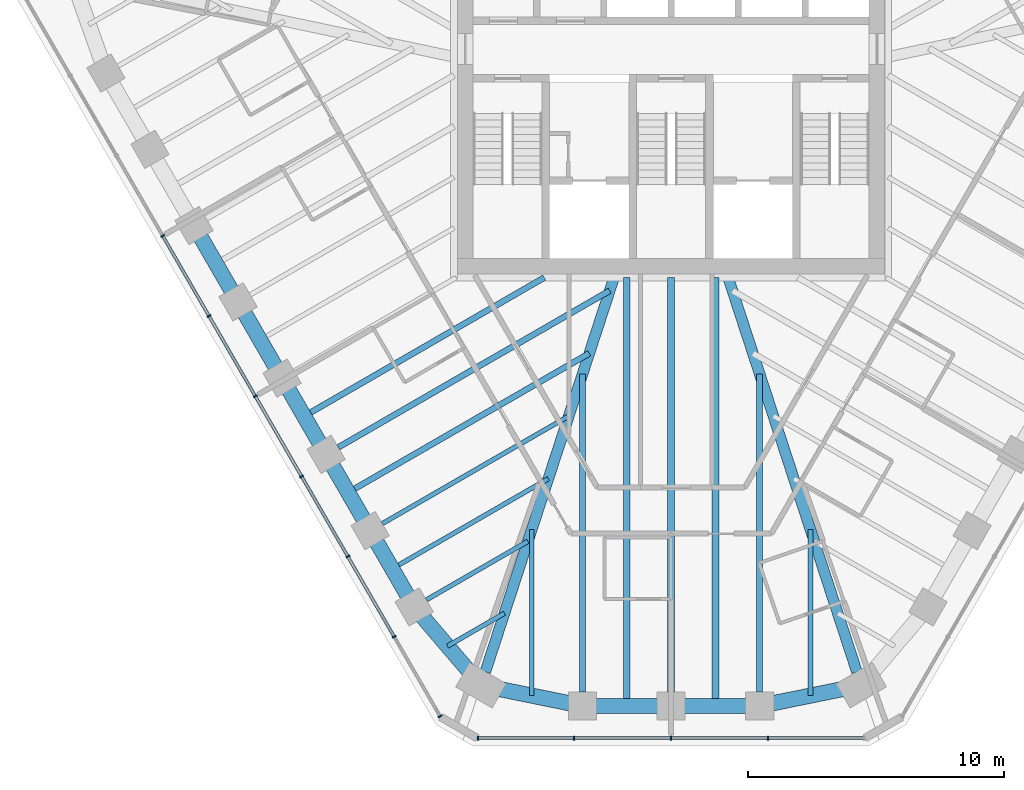
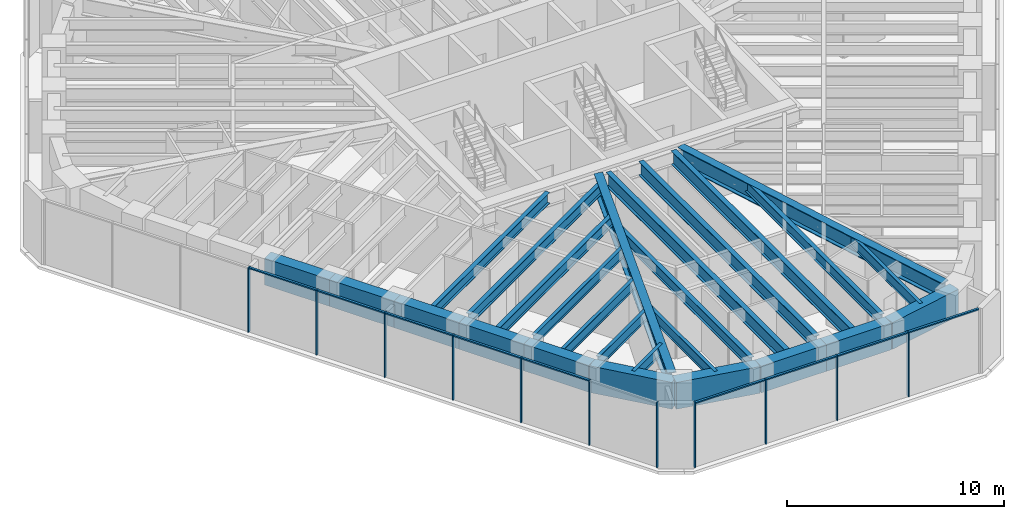
# One storey, part 2 of 14: 26 beams, 20 members, 2 elements without a shape of their own.
"""IFC4 building model written with IfcOpenShell, lengths in metres."""

from ifc_helpers import new_model, si_unit, direction, frame, origin, origin_2d, place, context, subcontext, project, spatial, rectangle, i_section, extrude, material, material_profile, profile_set, type_object, element, aggregate, save


model = new_model("IFC4")

# Units and contexts
model_context = context("Model", 3, precision=1e-05, world=origin(), true_north=direction((0.0, 1.0)))
body_context = subcontext(model_context, "Body", "Model", "MODEL_VIEW")
ifc_project = project(units=[si_unit("LENGTHUNIT", "METRE"), si_unit("AREAUNIT", "SQUARE_METRE"), si_unit("VOLUMEUNIT", "CUBIC_METRE"), si_unit("PLANEANGLEUNIT", "RADIAN"), si_unit("MASSUNIT", "GRAM", prefix="KILO")], contexts=[model_context])

# Site, building, storey
site_placement = place(None, origin())
site = spatial("IfcSite", under=ifc_project, at=site_placement, CompositionType="ELEMENT")
building_placement = place(site_placement, origin())
building = spatial("IfcBuilding", under=site, at=building_placement, Name="Sandreach Pilgrim Tower", CompositionType="ELEMENT")
storey_placement = place(building_placement, frame((0.0, 0.0, 279.800048828125)))
storey = spatial("IfcBuildingStorey", under=building, at=storey_placement, Name="L70", CompositionType="ELEMENT", Elevation=279.800048828125)

# Curtain wall, members
ifc_material_1 = material(Name="Aluminium framed curtain wall", Category="aluminium")
curtain_wall_type = type_object("IfcCurtainWallType", Name="Suite tower curtain wall", PredefinedType="NOTDEFINED", material=ifc_material_1)
curtain_wall_1_placement = place(storey_placement, origin())
curtain_wall_1 = element("IfcCurtainWall", 1, at=curtain_wall_1_placement, inside=storey, type_object=curtain_wall_type, Name="CW-4 L70 S", PredefinedType="NOTDEFINED")
ifc_material_2 = material(Name="Aluminium extrusion", Category="aluminium")
ifc_material_profile_1 = material_profile(ifc_material_2, rectangle(XDim=0.06005859375, YDim=0.159912109375, at=origin_2d()), Name="CW-4M 60X160")
ifc_profile_set_1 = profile_set([ifc_material_profile_1], Name="Aluminium extrusion")
member_type_1 = type_object("IfcMemberType", Name="CW-4 mullion", PredefinedType="MULLION", material=ifc_profile_set_1)
member_1_placement = place(storey_placement, frame((3.791748046875, -24.858154296875, 0.0), z_axis=(0.0, 0.0, 1.0), x_axis=(-1.0, 0.0, 0.0)))
member_1 = element("IfcMember", 2, at=member_1_placement, type_object=member_type_1, Name="CW-4 mullion 2", PredefinedType="MULLION", context=body_context, shape_type="SweptSolid", body=[
    extrude(rectangle(XDim=0.06005859375, YDim=0.159912109375, at=origin_2d()), origin(), (0.0, 0.0, 1.0), 3.639892578125),
])
member_2_placement = place(storey_placement, frame((0.0, -24.858154296875, 0.0), z_axis=(0.0, 0.0, 1.0), x_axis=(-1.0, 0.0, 0.0)))
member_2 = element("IfcMember", 3, at=member_2_placement, type_object=member_type_1, Name="CW-4 mullion 3", PredefinedType="MULLION", context=body_context, shape_type="SweptSolid", body=[
    extrude(rectangle(XDim=0.06005859375, YDim=0.159912109375, at=origin_2d()), origin(), (0.0, 0.0, 1.0), 3.639892578125),
])
member_3_placement = place(storey_placement, frame((-3.791748046875, -24.858154296875, 0.0), z_axis=(0.0, 0.0, 1.0), x_axis=(-1.0, 0.0, 0.0)))
member_3 = element("IfcMember", 4, at=member_3_placement, type_object=member_type_1, Name="CW-4 mullion 4", PredefinedType="MULLION", context=body_context, shape_type="SweptSolid", body=[
    extrude(rectangle(XDim=0.06005859375, YDim=0.159912109375, at=origin_2d()), origin(), (0.0, 0.0, 1.0), 3.639892578125),
])
member_4_placement = place(storey_placement, frame((-7.553466796875, -24.858154296875, 0.0), z_axis=(0.0, 0.0, 1.0), x_axis=(-1.0, 0.0, 0.0)))
member_4 = element("IfcMember", 5, at=member_4_placement, type_object=member_type_1, Name="CW-4 mullion 5", PredefinedType="MULLION", context=body_context, shape_type="SweptSolid", body=[
    extrude(rectangle(XDim=0.06005859375, YDim=0.159912109375, at=origin_2d()), origin(), (0.0, 0.0, 1.0), 3.639892578125),
])

curtain_wall_2_placement = place(storey_placement, origin())
curtain_wall_2 = element("IfcCurtainWall", 6, at=curtain_wall_2_placement, inside=storey, type_object=curtain_wall_type, Name="CW-4 L70 SW", PredefinedType="NOTDEFINED")
member_5_placement = place(storey_placement, frame((-9.035888671875, -24.001953125, 0.0), z_axis=(0.0, 0.0, 1.0), x_axis=(-0.5, 0.866025403784, 0.0)))
member_5 = element("IfcMember", 7, at=member_5_placement, type_object=member_type_1, Name="CW-4 mullion 1", PredefinedType="MULLION", context=body_context, shape_type="SweptSolid", body=[
    extrude(rectangle(XDim=0.06005859375, YDim=0.159912109375, at=origin_2d()), origin(), (0.0, 0.0, 1.0), 3.639892578125),
])
member_6_placement = place(storey_placement, frame((-10.83203125, -20.891357421875, 0.0), z_axis=(0.0, 0.0, 1.0), x_axis=(-0.5, 0.866025403784, 0.0)))
member_6 = element("IfcMember", 8, at=member_6_placement, type_object=member_type_1, Name="CW-4 mullion 2", PredefinedType="MULLION", context=body_context, shape_type="SweptSolid", body=[
    extrude(rectangle(XDim=0.06005859375, YDim=0.159912109375, at=origin_2d()), origin(), (0.0, 0.0, 1.0), 3.639892578125),
])
member_7_placement = place(storey_placement, frame((-12.642822265625, -17.7548828125, 0.0), z_axis=(0.0, 0.0, 1.0), x_axis=(-0.5, 0.866025403784, 0.0)))
member_7 = element("IfcMember", 9, at=member_7_placement, type_object=member_type_1, Name="CW-4 mullion 3", PredefinedType="MULLION", context=body_context, shape_type="SweptSolid", body=[
    extrude(rectangle(XDim=0.06005859375, YDim=0.159912109375, at=origin_2d()), origin(), (0.0, 0.0, 1.0), 3.639892578125),
])
member_8_placement = place(storey_placement, frame((-14.453857421875, -14.6181640625, 0.0), z_axis=(0.0, 0.0, 1.0), x_axis=(-0.5, 0.866025403784, 0.0)))
member_8 = element("IfcMember", 10, at=member_8_placement, type_object=member_type_1, Name="CW-4 mullion 4", PredefinedType="MULLION", context=body_context, shape_type="SweptSolid", body=[
    extrude(rectangle(XDim=0.06005859375, YDim=0.159912109375, at=origin_2d()), origin(), (0.0, 0.0, 1.0), 3.639892578125),
])
member_9_placement = place(storey_placement, frame((-16.2646484375, -11.4814453125, 0.0), z_axis=(0.0, 0.0, 1.0), x_axis=(-0.5, 0.866025403784, 0.0)))
member_9 = element("IfcMember", 11, at=member_9_placement, type_object=member_type_1, Name="CW-4 mullion 5", PredefinedType="MULLION", context=body_context, shape_type="SweptSolid", body=[
    extrude(rectangle(XDim=0.06005859375, YDim=0.159912109375, at=origin_2d()), origin(), (0.0, 0.0, 1.0), 3.639892578125),
])
member_10_placement = place(storey_placement, frame((-18.07568359375, -8.344970703125, 0.0), z_axis=(0.0, 0.0, 1.0), x_axis=(-0.5, 0.866025403784, 0.0)))
member_10 = element("IfcMember", 12, at=member_10_placement, type_object=member_type_1, Name="CW-4 mullion 6", PredefinedType="MULLION", context=body_context, shape_type="SweptSolid", body=[
    extrude(rectangle(XDim=0.06005859375, YDim=0.159912109375, at=origin_2d()), origin(), (0.0, 0.0, 1.0), 3.639892578125),
])
member_11_placement = place(storey_placement, frame((-19.886474609375, -5.208251953125, 0.0), z_axis=(0.0, 0.0, 1.0), x_axis=(-0.5, 0.866025403784, 0.0)))
member_11 = element("IfcMember", 13, at=member_11_placement, type_object=member_type_1, Name="CW-4 mullion 7", PredefinedType="MULLION", context=body_context, shape_type="SweptSolid", body=[
    extrude(rectangle(XDim=0.06005859375, YDim=0.159912109375, at=origin_2d()), origin(), (0.0, 0.0, 1.0), 3.639892578125),
])

# Member
ifc_material_3 = material(Name="Aluminium extrusion", Category="aluminium")
ifc_material_profile_2 = material_profile(ifc_material_3, rectangle(XDim=0.1201171875, YDim=0.070068359375, at=origin_2d()), Name="CW-4T 120X70")
ifc_profile_set_2 = profile_set([ifc_material_profile_2], Name="Aluminium extrusion")
member_type_2 = type_object("IfcMemberType", Name="CW-4 transom", PredefinedType="USERDEFINED", material=ifc_profile_set_2)
member_12_placement = place(storey_placement, frame((7.5234375, -24.858154296875, 3.60498046875), z_axis=(-1.0, 0.0, 0.0), x_axis=(0.0, -1.0, 0.0)))
member_12 = element("IfcMember", 14, at=member_12_placement, type_object=member_type_2, Name="CW-4 head transom 1", ObjectType="TRANSOM", PredefinedType="USERDEFINED", context=body_context, shape_type="SweptSolid", body=[
    extrude(rectangle(XDim=0.1201171875, YDim=0.070068359375, at=origin_2d()), origin(), (0.0, 0.0, 1.0), 3.70166015625),
])

member_13_placement = place(storey_placement, frame((3.76171875, -24.858154296875, 3.60498046875), z_axis=(-1.0, 0.0, 0.0), x_axis=(0.0, -1.0, 0.0)))
member_13 = element("IfcMember", 15, at=member_13_placement, type_object=member_type_2, Name="CW-4 head transom 2", ObjectType="TRANSOM", PredefinedType="USERDEFINED", context=body_context, shape_type="SweptSolid", body=[
    extrude(rectangle(XDim=0.1201171875, YDim=0.070068359375, at=origin_2d()), origin(), (0.0, 0.0, 1.0), 3.731689453125),
])

member_14_placement = place(storey_placement, frame((-0.030029296875, -24.858154296875, 3.60498046875), z_axis=(-1.0, 0.0, 0.0), x_axis=(0.0, -1.0, 0.0)))
member_14 = element("IfcMember", 16, at=member_14_placement, type_object=member_type_2, Name="CW-4 head transom 3", ObjectType="TRANSOM", PredefinedType="USERDEFINED", context=body_context, shape_type="SweptSolid", body=[
    extrude(rectangle(XDim=0.1201171875, YDim=0.070068359375, at=origin_2d()), origin(), (0.0, 0.0, 1.0), 3.731689453125),
])

member_15_placement = place(storey_placement, frame((-3.82177734375, -24.858154296875, 3.60498046875), z_axis=(-1.0, 0.0, 0.0), x_axis=(0.0, -1.0, 0.0)))
member_15 = element("IfcMember", 17, at=member_15_placement, type_object=member_type_2, Name="CW-4 head transom 4", ObjectType="TRANSOM", PredefinedType="USERDEFINED", context=body_context, shape_type="SweptSolid", body=[
    extrude(rectangle(XDim=0.1201171875, YDim=0.070068359375, at=origin_2d()), origin(), (0.0, 0.0, 1.0), 3.70166015625),
])

aggregate(curtain_wall_1, [member_1, member_2, member_3, member_4, member_12, member_13, member_14, member_15])

member_16_placement = place(storey_placement, frame((-10.846923828125, -20.865478515625, 3.60498046875), z_axis=(-0.500009219579, 0.866020080793, 0.0), x_axis=(-0.866020080793, -0.500009219579, 0.0)))
member_16 = element("IfcMember", 18, at=member_16_placement, type_object=member_type_2, Name="CW-4 head transom 2", ObjectType="TRANSOM", PredefinedType="USERDEFINED", context=body_context, shape_type="SweptSolid", body=[
    extrude(rectangle(XDim=0.1201171875, YDim=0.070068359375, at=origin_2d()), origin(), (0.0, 0.0, 1.0), 3.56201171875),
])

member_17_placement = place(storey_placement, frame((-12.657958984375, -17.728759765625, 3.60498046875), z_axis=(-0.499957811549, 0.866049759928, 0.0), x_axis=(-0.866049759928, -0.499957811549, 0.0)))
member_17 = element("IfcMember", 19, at=member_17_placement, type_object=member_type_2, Name="CW-4 head transom 3", ObjectType="TRANSOM", PredefinedType="USERDEFINED", context=body_context, shape_type="SweptSolid", body=[
    extrude(rectangle(XDim=0.1201171875, YDim=0.070068359375, at=origin_2d()), origin(), (0.0, 0.0, 1.0), 3.561767578125),
])

member_18_placement = place(storey_placement, frame((-14.46875, -14.59228515625, 3.60498046875), z_axis=(-0.500009219579, 0.866020080793, 0.0), x_axis=(-0.866020080793, -0.500009219579, 0.0)))
member_18 = element("IfcMember", 20, at=member_18_placement, type_object=member_type_2, Name="CW-4 head transom 4", ObjectType="TRANSOM", PredefinedType="USERDEFINED", context=body_context, shape_type="SweptSolid", body=[
    extrude(rectangle(XDim=0.1201171875, YDim=0.070068359375, at=origin_2d()), origin(), (0.0, 0.0, 1.0), 3.56201171875),
])

member_19_placement = place(storey_placement, frame((-16.27978515625, -11.45556640625, 3.60498046875), z_axis=(-0.499957811549, 0.866049759928, 0.0), x_axis=(-0.866049759928, -0.499957811549, 0.0)))
member_19 = element("IfcMember", 21, at=member_19_placement, type_object=member_type_2, Name="CW-4 head transom 5", ObjectType="TRANSOM", PredefinedType="USERDEFINED", context=body_context, shape_type="SweptSolid", body=[
    extrude(rectangle(XDim=0.1201171875, YDim=0.070068359375, at=origin_2d()), origin(), (0.0, 0.0, 1.0), 3.561767578125),
])

member_20_placement = place(storey_placement, frame((-18.090576171875, -8.31884765625, 3.60498046875), z_axis=(-0.500038900691, 0.866002943295, 0.0), x_axis=(-0.866002943295, -0.500038900691, 0.0)))
member_20 = element("IfcMember", 22, at=member_20_placement, type_object=member_type_2, Name="CW-4 head transom 6", ObjectType="TRANSOM", PredefinedType="USERDEFINED", context=body_context, shape_type="SweptSolid", body=[
    extrude(rectangle(XDim=0.1201171875, YDim=0.070068359375, at=origin_2d()), origin(), (0.0, 0.0, 1.0), 3.561767578125),
])

aggregate(curtain_wall_2, [member_5, member_6, member_7, member_8, member_9, member_10, member_11, member_16, member_17, member_18, member_19, member_20])

# Beams
ifc_material_4 = material(Name="Steel ASTM A992 Grade 50", Category="steel")
ifc_material_profile_3 = material_profile(ifc_material_4, i_section(OverallWidth=0.421630859375, OverallDepth=0.937255859375, WebThickness=0.0224609375, FlangeThickness=0.039794921875, at=origin_2d()), Name="W36X282")
ifc_profile_set_3 = profile_set([ifc_material_profile_3], Name="Steel ASTM A992 Grade 50")
beam_type_1 = type_object("IfcBeamType", Name="Corner girder W36X282", PredefinedType="BEAM", material=ifc_profile_set_3)
for number, where, z_axis, x_axis, name in (
    (23, (7.268310546875, -22.2666015625, 3.17138671875), (-0.310308570047, 0.950635887896, 0.0), (-0.950635887896, -0.310308570047, 0.0), "BM L70 CG22"),
    (24, (-7.268310546875, -22.2666015625, 3.17138671875), (0.310308570047, 0.950635887896, 0.0), (-0.950635887896, 0.310308570047, 0.0), "BM L70 CG26"),
):
    element("IfcBeam", number, at=place(storey_placement, frame(where, z_axis=z_axis, x_axis=x_axis)), inside=storey, type_object=beam_type_1, Name=name, PredefinedType="BEAM", context=body_context, shape_type="SweptSolid", body=[
        extrude(i_section(OverallWidth=0.421630859375, OverallDepth=0.937255859375, WebThickness=0.0224609375, FlangeThickness=0.039794921875, at=origin_2d()), origin(), (0.0, 0.0, 1.0), 16.375),
    ])
ifc_material_5 = material(Name="Steel ASTM A992 Grade 50", Category="steel")
ifc_material_profile_4 = material_profile(ifc_material_5, i_section(OverallWidth=0.1787109375, OverallDepth=0.60205078125, WebThickness=0.010986328125, FlangeThickness=0.014892578125, at=origin_2d()), Name="W24X62")
ifc_profile_set_4 = profile_set([ifc_material_profile_4], Name="Steel ASTM A992 Grade 50")
beam_type_2 = type_object("IfcBeamType", Name="Floor beam W24X62", PredefinedType="BEAM", material=ifc_profile_set_4)
beam_1_placement = place(storey_placement, frame((-9.573974609375, -19.450439453125, 3.3388671875), z_axis=(0.866024320471, 0.50000187635, 0.0), x_axis=(-0.50000187635, 0.866024320471, 0.0)))
element("IfcBeam", 25, at=beam_1_placement, inside=storey, type_object=beam_type_2, Name="BM L70 F27", PredefinedType="BEAM", context=body_context, shape_type="SweptSolid", body=[
    extrude(i_section(OverallWidth=0.1787109375, OverallDepth=0.60205078125, WebThickness=0.010986328125, FlangeThickness=0.014892578125, at=origin_2d()), origin(), (0.0, 0.0, 1.0), 4.58837890625),
])
beam_2_placement = place(storey_placement, frame((-11.29638671875, -16.466796875, 3.3388671875), z_axis=(0.866026819143, 0.499997548519, 0.0), x_axis=(-0.499997548519, 0.866026819143, 0.0)))
element("IfcBeam", 26, at=beam_2_placement, inside=storey, type_object=beam_type_2, Name="BM L70 F28", PredefinedType="BEAM", context=body_context, shape_type="SweptSolid", body=[
    extrude(i_section(OverallWidth=0.1787109375, OverallDepth=0.60205078125, WebThickness=0.010986328125, FlangeThickness=0.014892578125, at=origin_2d()), origin(), (0.0, 0.0, 1.0), 8.4248046875),
])
for number, where, z_axis, x_axis, name in (
    (27, (5.452392578125, -23.19384765625, 3.3388671875), (0.0, 1.0, 0.0), (-1.0, 0.0, 0.0), "BM L70 FM22"),
    (28, (-5.452392578125, -23.19384765625, 3.3388671875), (0.0, 1.0, 0.0), (-1.0, 0.0, 0.0), "BM L70 FM25"),
):
    element("IfcBeam", number, at=place(storey_placement, frame(where, z_axis=z_axis, x_axis=x_axis)), inside=storey, type_object=beam_type_2, Name=name, PredefinedType="BEAM", context=body_context, shape_type="SweptSolid", body=[
        extrude(i_section(OverallWidth=0.1787109375, OverallDepth=0.60205078125, WebThickness=0.010986328125, FlangeThickness=0.014892578125, at=origin_2d()), origin(), (0.0, 0.0, 1.0), 6.49072265625),
    ])
beam_3_placement = place(storey_placement, frame((-8.74462890625, -21.25732421875, 3.3388671875), z_axis=(0.866041575714, 0.49997198835, 0.0), x_axis=(-0.49997198835, 0.866041575714, 0.0)))
element("IfcBeam", 29, at=beam_3_placement, inside=storey, type_object=beam_type_2, Name="BM L70 FM26", PredefinedType="BEAM", context=body_context, shape_type="SweptSolid", body=[
    extrude(i_section(OverallWidth=0.1787109375, OverallDepth=0.60205078125, WebThickness=0.010986328125, FlangeThickness=0.014892578125, at=origin_2d()), origin(), (0.0, 0.0, 1.0), 2.569091796875),
])
beam_4_placement = place(storey_placement, frame((-10.911376953125, -18.233642578125, 3.3388671875), z_axis=(0.866020229007, 0.50000896287, 0.0), x_axis=(-0.50000896287, 0.866020229007, 0.0)))
element("IfcBeam", 30, at=beam_4_placement, inside=storey, type_object=beam_type_2, Name="BM L70 FM27", PredefinedType="BEAM", context=body_context, shape_type="SweptSolid", body=[
    extrude(i_section(OverallWidth=0.1787109375, OverallDepth=0.60205078125, WebThickness=0.010986328125, FlangeThickness=0.014892578125, at=origin_2d()), origin(), (0.0, 0.0, 1.0), 7.056396484375),
])
ifc_material_6 = material(Name="Steel ASTM A992 Grade 50", Category="steel")
ifc_material_profile_5 = material_profile(ifc_material_6, i_section(OverallWidth=0.23046875, OverallDepth=0.6171875, WebThickness=0.01318359375, FlangeThickness=0.022216796875, at=origin_2d()), Name="W24X94")
ifc_profile_set_5 = profile_set([ifc_material_profile_5], Name="Steel ASTM A992 Grade 50")
beam_type_3 = type_object("IfcBeamType", Name="Floor beam W24X94", PredefinedType="BEAM", material=ifc_profile_set_5)
for number, where, z_axis, x_axis, name in (
    (31, (3.465576171875, -23.048095703125, 3.331298828125), (0.0, 1.0, 0.0), (-1.0, 0.0, 0.0), "BM L70 F23"),
    (32, (-3.465576171875, -23.048095703125, 3.331298828125), (0.0, 1.0, 0.0), (-1.0, 0.0, 0.0), "BM L70 F25"),
):
    element("IfcBeam", number, at=place(storey_placement, frame(where, z_axis=z_axis, x_axis=x_axis)), inside=storey, type_object=beam_type_3, Name=name, PredefinedType="BEAM", context=body_context, shape_type="SweptSolid", body=[
        extrude(i_section(OverallWidth=0.23046875, OverallDepth=0.6171875, WebThickness=0.01318359375, FlangeThickness=0.022216796875, at=origin_2d()), origin(), (0.0, 0.0, 1.0), 12.431396484375),
    ])
beam_5_placement = place(storey_placement, frame((-13.018798828125, -13.4833984375, 3.331298828125), z_axis=(0.866019132277, 0.500010862412, 0.0), x_axis=(-0.500010862412, 0.866019132277, 0.0)))
element("IfcBeam", 33, at=beam_5_placement, inside=storey, type_object=beam_type_3, Name="BM L70 F29", PredefinedType="BEAM", context=body_context, shape_type="SweptSolid", body=[
    extrude(i_section(OverallWidth=0.23046875, OverallDepth=0.6171875, WebThickness=0.01318359375, FlangeThickness=0.022216796875, at=origin_2d()), origin(), (0.0, 0.0, 1.0), 12.261474609375),
])
beam_6_placement = place(storey_placement, frame((-12.634033203125, -15.250244140625, 3.331298828125), z_axis=(0.866019500887, 0.500010223979, 0.0), x_axis=(-0.500010223979, 0.866019500887, 0.0)))
element("IfcBeam", 34, at=beam_6_placement, inside=storey, type_object=beam_type_3, Name="BM L70 FM28", PredefinedType="BEAM", context=body_context, shape_type="SweptSolid", body=[
    extrude(i_section(OverallWidth=0.23046875, OverallDepth=0.6171875, WebThickness=0.01318359375, FlangeThickness=0.022216796875, at=origin_2d()), origin(), (0.0, 0.0, 1.0), 10.893310546875),
])
beam_7_placement = place(storey_placement, frame((-14.3564453125, -12.2666015625, 3.331298828125), z_axis=(0.866026660645, 0.499997823047, 0.0), x_axis=(-0.499997823047, 0.866026660645, 0.0)))
element("IfcBeam", 35, at=beam_7_placement, inside=storey, type_object=beam_type_3, Name="BM L70 FM29", PredefinedType="BEAM", context=body_context, shape_type="SweptSolid", body=[
    extrude(i_section(OverallWidth=0.23046875, OverallDepth=0.6171875, WebThickness=0.01318359375, FlangeThickness=0.022216796875, at=origin_2d()), origin(), (0.0, 0.0, 1.0), 10.8466796875),
])
ifc_material_7 = material(Name="Steel ASTM A992 Grade 50", Category="steel")
ifc_material_profile_6 = material_profile(ifc_material_7, i_section(OverallWidth=0.2666015625, OverallDepth=0.77978515625, WebThickness=0.0166015625, FlangeThickness=0.030029296875, at=origin_2d()), Name="W30X148")
ifc_profile_set_6 = profile_set([ifc_material_profile_6], Name="Steel ASTM A992 Grade 50")
beam_type_4 = type_object("IfcBeamType", Name="Floor beam W30X148", PredefinedType="BEAM", material=ifc_profile_set_6)
beam_8_placement = place(storey_placement, frame((0.0, -23.048095703125, 3.25), z_axis=(0.0, 1.0, 0.0), x_axis=(-1.0, 0.0, 0.0)))
element("IfcBeam", 36, at=beam_8_placement, inside=storey, type_object=beam_type_4, Name="BM L70 F24", PredefinedType="BEAM", context=body_context, shape_type="SweptSolid", body=[
    extrude(i_section(OverallWidth=0.2666015625, OverallDepth=0.77978515625, WebThickness=0.0166015625, FlangeThickness=0.030029296875, at=origin_2d()), origin(), (0.0, 0.0, 1.0), 16.204833984375),
])
for number, where, z_axis, x_axis, name in (
    (37, (1.732666015625, -23.59814453125, 3.25), (0.0, 1.0, 0.0), (-1.0, 0.0, 0.0), "BM L70 FM23"),
    (38, (-1.732666015625, -23.59814453125, 3.25), (0.0, 1.0, 0.0), (-1.0, 0.0, 0.0), "BM L70 FM24"),
):
    element("IfcBeam", number, at=place(storey_placement, frame(where, z_axis=z_axis, x_axis=x_axis)), inside=storey, type_object=beam_type_4, Name=name, PredefinedType="BEAM", context=body_context, shape_type="SweptSolid", body=[
        extrude(i_section(OverallWidth=0.2666015625, OverallDepth=0.77978515625, WebThickness=0.0166015625, FlangeThickness=0.030029296875, at=origin_2d()), origin(), (0.0, 0.0, 1.0), 16.7548828125),
    ])
ifc_material_8 = material(Name="Concrete 10000 psi", Category="concrete")
ifc_material_profile_7 = material_profile(ifc_material_8, rectangle(XDim=0.60009765625, YDim=1.5, at=origin_2d()), Name="RC600X1500")
ifc_profile_set_7 = profile_set([ifc_material_profile_7], Name="Concrete 10000 psi")
beam_type_5 = type_object("IfcBeamType", Name="Spandrel beam RC600X1500", PredefinedType="SPANDREL", material=ifc_profile_set_7)
beam_9_placement = place(storey_placement, frame((7.439208984375, -22.78955078125, 2.889892578125), z_axis=(-0.979917524616, -0.199403222016, 0.0), x_axis=(0.199403222016, -0.979917524616, 0.0)))
element("IfcBeam", 39, at=beam_9_placement, inside=storey, type_object=beam_type_5, Name="BM L70 SP22", PredefinedType="SPANDREL", context=body_context, shape_type="SweptSolid", body=[
    extrude(rectangle(XDim=0.60009765625, YDim=1.5, at=origin_2d()), origin(), (0.0, 0.0, 1.0), 4.05517578125),
])
for number, where, z_axis, x_axis, name in (
    (40, (3.465576171875, -23.59814453125, 2.889892578125), (-1.0, 0.0, 0.0), (0.0, -1.0, 0.0), "BM L70 SP23"),
    (41, (0.0, -23.59814453125, 2.889892578125), (-1.0, 0.0, 0.0), (0.0, -1.0, 0.0), "BM L70 SP24"),
):
    element("IfcBeam", number, at=place(storey_placement, frame(where, z_axis=z_axis, x_axis=x_axis)), inside=storey, type_object=beam_type_5, Name=name, PredefinedType="SPANDREL", context=body_context, shape_type="SweptSolid", body=[
        extrude(rectangle(XDim=0.60009765625, YDim=1.5, at=origin_2d()), origin(), (0.0, 0.0, 1.0), 3.465576171875),
    ])
beam_10_placement = place(storey_placement, frame((-3.465576171875, -23.59814453125, 2.889892578125), z_axis=(-0.979917524616, 0.199403222016, 0.0), x_axis=(-0.199403222016, -0.979917524616, 0.0)))
element("IfcBeam", 42, at=beam_10_placement, inside=storey, type_object=beam_type_5, Name="BM L70 SP25", PredefinedType="SPANDREL", context=body_context, shape_type="SweptSolid", body=[
    extrude(rectangle(XDim=0.60009765625, YDim=1.5, at=origin_2d()), origin(), (0.0, 0.0, 1.0), 4.05517578125),
])
beam_11_placement = place(storey_placement, frame((-7.439208984375, -22.78955078125, 2.889892578125), z_axis=(-0.648586192707, 0.761141215958, 0.0), x_axis=(-0.761141215958, -0.648586192707, 0.0)))
element("IfcBeam", 43, at=beam_11_placement, inside=storey, type_object=beam_type_5, Name="BM L70 SP26", PredefinedType="SPANDREL", context=body_context, shape_type="SweptSolid", body=[
    extrude(rectangle(XDim=0.60009765625, YDim=1.5, at=origin_2d()), origin(), (0.0, 0.0, 1.0), 4.02587890625),
])
for number, where, z_axis, x_axis, name in (
    (44, (-10.05029296875, -19.725341796875, 2.889892578125), (-0.499988291006, 0.866032163869, 0.0), (-0.866032163869, -0.499988291006, 0.0), "BM L70 SP27"),
    (45, (-11.772705078125, -16.741943359375, 2.889892578125), (-0.499988291006, 0.866032163869, 0.0), (-0.866032163869, -0.499988291006, 0.0), "BM L70 SP28"),
):
    element("IfcBeam", number, at=place(storey_placement, frame(where, z_axis=z_axis, x_axis=x_axis)), inside=storey, type_object=beam_type_5, Name=name, PredefinedType="SPANDREL", context=body_context, shape_type="SweptSolid", body=[
        extrude(rectangle(XDim=0.60009765625, YDim=1.5, at=origin_2d()), origin(), (0.0, 0.0, 1.0), 3.44482421875),
    ])
beam_12_placement = place(storey_placement, frame((-13.4951171875, -13.758544921875, 2.889892578125), z_axis=(-0.500010754882, 0.866019194361, 0.0), x_axis=(-0.866019194361, -0.500010754882, 0.0)))
element("IfcBeam", 46, at=beam_12_placement, inside=storey, type_object=beam_type_5, Name="BM L70 SP29", PredefinedType="SPANDREL", context=body_context, shape_type="SweptSolid", body=[
    extrude(rectangle(XDim=0.60009765625, YDim=1.5, at=origin_2d()), origin(), (0.0, 0.0, 1.0), 3.4453125),
])
beam_13_placement = place(storey_placement, frame((-15.2177734375, -10.77490234375, 2.889892578125), z_axis=(-0.499988291006, 0.866032163869, 0.0), x_axis=(-0.866032163869, -0.499988291006, 0.0)))
element("IfcBeam", 47, at=beam_13_placement, inside=storey, type_object=beam_type_5, Name="BM L70 SP30", PredefinedType="SPANDREL", context=body_context, shape_type="SweptSolid", body=[
    extrude(rectangle(XDim=0.60009765625, YDim=1.5, at=origin_2d()), origin(), (0.0, 0.0, 1.0), 3.44482421875),
])
beam_14_placement = place(storey_placement, frame((-16.940185546875, -7.79150390625, 2.889892578125), z_axis=(-0.500041441558, 0.866001476168, 0.0), x_axis=(-0.866001476168, -0.500041441558, 0.0)))
element("IfcBeam", 48, at=beam_14_placement, inside=storey, type_object=beam_type_5, Name="BM L70 SP31", PredefinedType="SPANDREL", context=body_context, shape_type="SweptSolid", body=[
    extrude(rectangle(XDim=0.60009765625, YDim=1.5, at=origin_2d()), origin(), (0.0, 0.0, 1.0), 3.445068359375),
])

save(model, "model.ifc")
